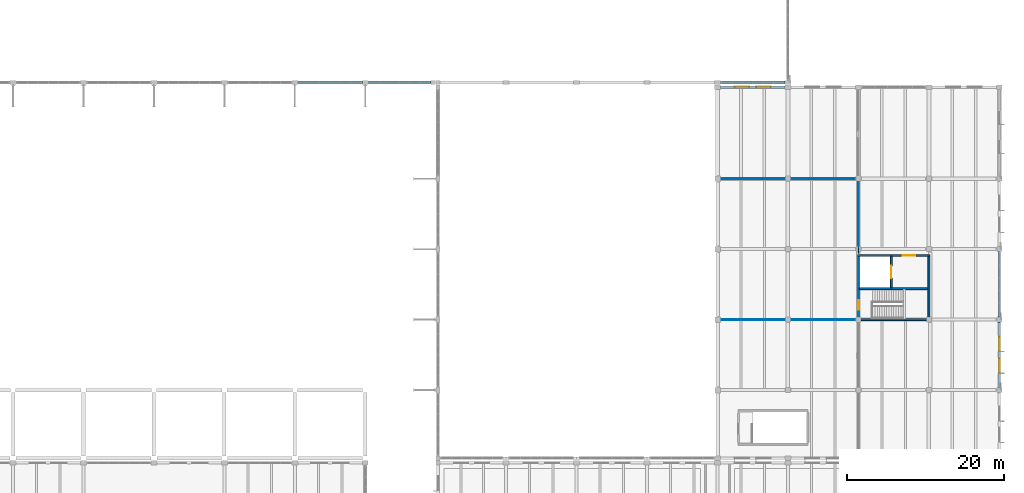
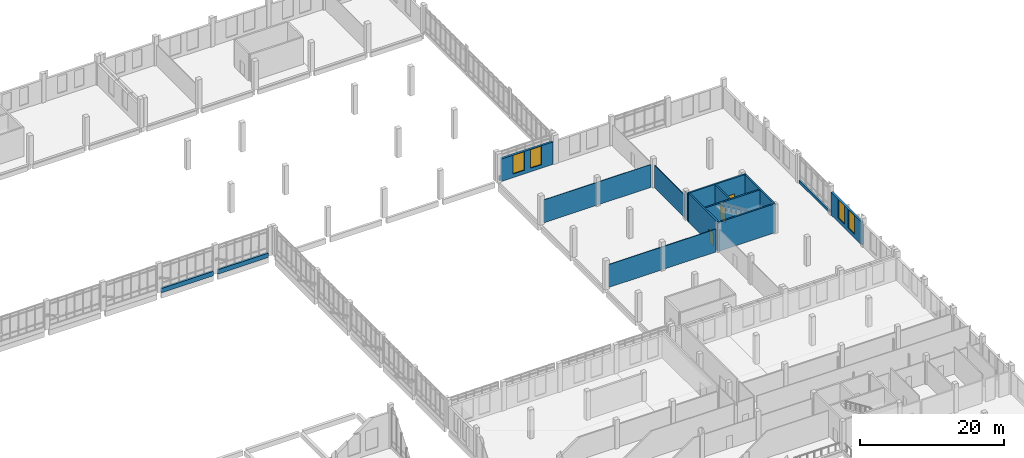
# One storey, part 89 of 110: 16 walls, 4 windows, 3 doors, 7 openings.
"""IFC4 building model written with IfcOpenShell, lengths in metres."""

from ifc_helpers import new_model, si_unit, direction, frame, frame_2d, origin, place, context, subcontext, project, spatial, rectangle, extrude, material, layer, layer_set, type_object, element, fill, save


model = new_model("IFC4")

# Units and contexts
model_context = context("Model", 3, precision=1e-05, world=origin(), true_north=direction((0.0, 1.0)))
body_context = subcontext(model_context, "Body", "Model", "MODEL_VIEW")
ifc_project = project(units=[si_unit("LENGTHUNIT", "METRE"), si_unit("AREAUNIT", "SQUARE_METRE"), si_unit("VOLUMEUNIT", "CUBIC_METRE"), si_unit("PLANEANGLEUNIT", "RADIAN"), si_unit("MASSUNIT", "GRAM", prefix="KILO")], contexts=[model_context])

# Site, building, storey
site_placement = place(None, origin())
site = spatial("IfcSite", under=ifc_project, at=site_placement, CompositionType="ELEMENT")
building_placement = place(site_placement, origin())
building = spatial("IfcBuilding", under=site, at=building_placement, Name="Zacnel Wholesale Market", CompositionType="ELEMENT")
storey_placement = place(building_placement, frame((0.0, 0.0, 6.300048828125)))
storey = spatial("IfcBuildingStorey", under=building, at=storey_placement, Name="L02", CompositionType="ELEMENT", Elevation=6.300048828125)

# Wall
ifc_material_1 = material(Name="Concrete C40/50", Category="concrete")
ifc_layer_1 = layer(ifc_material_1, 0.25)
ifc_layer_set_1 = layer_set([ifc_layer_1], Name="Concrete C40/50")
wall_type_1 = type_object("IfcWallType", Name="WL-CORE-SW250", PredefinedType="SOLIDWALL", material=ifc_layer_set_1)
wall_1_placement = place(storey_placement, frame((197.875, 66.0, 0.0), z_axis=(0.0, 0.0, 1.0), x_axis=(1.0, 0.0, 0.0)))
element("IfcWall", 1, at=wall_1_placement, inside=storey, type_object=wall_type_1, Name="Core C7 south shear wall L02", PredefinedType="SOLIDWALL", context=body_context, shape_type="SweptSolid", body=[
    extrude(rectangle(XDim=9.25, YDim=0.25, at=frame_2d((4.625, 0.0))), origin(), (0.0, 0.0, 1.0), 4.89990234375),
])

# Wall, opening, door
wall_2_placement = place(storey_placement, frame((197.875, 74.199951171875, 0.0), z_axis=(0.0, 0.0, 1.0), x_axis=(1.0, 0.0, 0.0)))
wall_2 = element("IfcWall", 2, at=wall_2_placement, inside=storey, type_object=wall_type_1, Name="Core C7 north shear wall L02", PredefinedType="SOLIDWALL", context=body_context, shape_type="SweptSolid", body=[
    extrude(rectangle(XDim=9.25, YDim=0.25, at=frame_2d((4.625, 0.0))), origin(), (0.0, 0.0, 1.0), 4.89990234375),
])
opening_1_placement = place(wall_2_placement, frame((5.77490234375, 0.0, 0.0)))
opening_1 = element("IfcOpeningElement", 3, at=opening_1_placement, cuts=wall_2, Name="Opening FD-02", PredefinedType="OPENING", context=body_context, shape_type="SweptSolid", body=[
    extrude(rectangle(XDim=1.60009765625, YDim=2.199951171875, at=frame_2d((0.800048828125, 1.10009765625))), frame((0.0, 0.135009765625, 0.0), z_axis=(0.0, -1.0, 0.0), x_axis=(1.0, 0.0, 0.0)), (0.0, 0.0, 1.0), 0.27001953125),
])
ifc_material_2 = material(Name="Galvanized steel", Category="steel")
door_type_1 = type_object("IfcDoorType", Name="DR-FIRE-LOBBY-1600", OperationType="NOTDEFINED", PredefinedType="DOOR", material=ifc_material_2)
door_1_placement = place(opening_1_placement, origin())
door_1 = element("IfcDoor", 4, at=door_1_placement, inside=storey, type_object=door_type_1, Name="Core lift lobby fire door C7 L02", OperationType="SINGLE_SWING_LEFT", OverallHeight=2.199951171875, OverallWidth=1.60009765625, PredefinedType="DOOR", context=body_context, shape_type="SweptSolid", body=[
    extrude(rectangle(XDim=1.60009765625, YDim=2.199951171875, at=frame_2d((0.800048828125, 1.10009765625))), frame((0.0, 0.02490234375, 0.0), z_axis=(0.0, -1.0, 0.0), x_axis=(1.0, 0.0, 0.0)), (0.0, 0.0, 1.0), 0.050048828125),
])
fill(opening_1, door_1)

wall_3_placement = place(storey_placement, frame((198.0, 66.125, 0.0), z_axis=(0.0, 0.0, 1.0), x_axis=(0.0, 1.0, 0.0)))
wall_3 = element("IfcWall", 5, at=wall_3_placement, inside=storey, type_object=wall_type_1, Name="Core C7 west shear wall L02", PredefinedType="SOLIDWALL", context=body_context, shape_type="SweptSolid", body=[
    extrude(rectangle(XDim=7.949951171875, YDim=0.25, at=frame_2d((3.97509765625, 0.0))), origin(), (0.0, 0.0, 1.0), 4.89990234375),
])
opening_2_placement = place(wall_3_placement, frame((1.14990234375, 0.0, 0.0)))
opening_2 = element("IfcOpeningElement", 6, at=opening_2_placement, cuts=wall_3, Name="Opening FD-01", PredefinedType="OPENING", context=body_context, shape_type="SweptSolid", body=[
    extrude(rectangle(XDim=1.199951171875, YDim=2.199951171875, at=frame_2d((0.60009765625, 1.10009765625))), frame((0.0, 0.135009765625, 0.0), z_axis=(0.0, -1.0, 0.0), x_axis=(1.0, 0.0, 0.0)), (0.0, 0.0, 1.0), 0.27001953125),
])
ifc_material_3 = material(Name="Galvanized steel", Category="steel")
door_type_2 = type_object("IfcDoorType", Name="DR-FIRE-STAIR-1200", OperationType="NOTDEFINED", PredefinedType="DOOR", material=ifc_material_3)
door_2_placement = place(opening_2_placement, origin())
door_2 = element("IfcDoor", 7, at=door_2_placement, inside=storey, type_object=door_type_2, Name="Protected stair fire door C7 L02", OperationType="SINGLE_SWING_RIGHT", OverallHeight=2.199951171875, OverallWidth=1.199951171875, PredefinedType="DOOR", context=body_context, shape_type="SweptSolid", body=[
    extrude(rectangle(XDim=1.199951171875, YDim=2.199951171875, at=frame_2d((0.60009765625, 1.10009765625))), frame((0.0, 0.02490234375, 0.0), z_axis=(0.0, -1.0, 0.0), x_axis=(1.0, 0.0, 0.0)), (0.0, 0.0, 1.0), 0.050048828125),
])
fill(opening_2, door_2)

# Walls
wall_4_placement = place(storey_placement, frame((207.0, 66.125, 0.0), z_axis=(0.0, 0.0, 1.0), x_axis=(0.0, 1.0, 0.0)))
element("IfcWall", 8, at=wall_4_placement, inside=storey, type_object=wall_type_1, Name="Core C7 east shear wall L02", PredefinedType="SOLIDWALL", context=body_context, shape_type="SweptSolid", body=[
    extrude(rectangle(XDim=7.949951171875, YDim=0.25, at=frame_2d((3.97509765625, 0.0))), origin(), (0.0, 0.0, 1.0), 4.89990234375),
])
wall_5_placement = place(storey_placement, frame((198.125, 69.949951171875, 0.0), z_axis=(0.0, 0.0, 1.0), x_axis=(1.0, 0.0, 0.0)))
element("IfcWall", 9, at=wall_5_placement, inside=storey, type_object=wall_type_1, Name="Core C7 stair-shaft shear wall L02", PredefinedType="SOLIDWALL", context=body_context, shape_type="SweptSolid", body=[
    extrude(rectangle(XDim=8.75, YDim=0.25, at=frame_2d((4.375, 0.0))), origin(), (0.0, 0.0, 1.0), 4.89990234375),
])

# Wall, opening, door
wall_6_placement = place(storey_placement, frame((202.199951171875, 70.074951171875, 0.0), z_axis=(0.0, 0.0, 1.0), x_axis=(0.0, 1.0, 0.0)))
wall_6 = element("IfcWall", 10, at=wall_6_placement, inside=storey, type_object=wall_type_1, Name="Core C7 lift shaft front wall L02", PredefinedType="SOLIDWALL", context=body_context, shape_type="SweptSolid", body=[
    extrude(rectangle(XDim=4.0, YDim=0.25, at=frame_2d((2.0, 0.0))), origin(), (0.0, 0.0, 1.0), 4.89990234375),
])
opening_3_placement = place(wall_6_placement, frame((1.199951171875, 0.0, 0.0)))
opening_3 = element("IfcOpeningElement", 11, at=opening_3_placement, cuts=wall_6, Name="Opening LD-02", PredefinedType="OPENING", context=body_context, shape_type="SweptSolid", body=[
    extrude(rectangle(XDim=1.60009765625, YDim=2.39990234375, at=frame_2d((0.800048828125, 1.199951171875))), frame((0.0, 0.135009765625, 0.0), z_axis=(0.0, -1.0, 0.0), x_axis=(1.0, 0.0, 0.0)), (0.0, 0.0, 1.0), 0.27001953125),
])
ifc_material_4 = material(Name="Galvanized steel", Category="steel")
door_type_3 = type_object("IfcDoorType", Name="DR-LIFT-GOODS-1600", OperationType="NOTDEFINED", PredefinedType="DOOR", material=ifc_material_4)
door_3_placement = place(opening_3_placement, origin())
door_3 = element("IfcDoor", 12, at=door_3_placement, inside=storey, type_object=door_type_3, Name="Lift landing door LG-04 L02", OperationType="SLIDING_TO_LEFT", OverallHeight=2.39990234375, OverallWidth=1.60009765625, PredefinedType="DOOR", context=body_context, shape_type="SweptSolid", body=[
    extrude(rectangle(XDim=1.60009765625, YDim=2.39990234375, at=frame_2d((0.800048828125, 1.199951171875))), frame((0.0, 0.02490234375, 0.0), z_axis=(0.0, -1.0, 0.0), x_axis=(1.0, 0.0, 0.0)), (0.0, 0.0, 1.0), 0.050048828125),
])
fill(opening_3, door_3)

# Walls
ifc_material_5 = material(Name="Precast concrete C40/50 (Cancun limestone aggregate)", Category="masonry")
ifc_layer_2 = layer(ifc_material_5, 0.300048828125)
ifc_layer_set_2 = layer_set([ifc_layer_2], Name="Precast concrete C40/50 (Cancun limestone aggregate)")
wall_type_2 = type_object("IfcWallType", Name="WL-EXT-LIME-300", PredefinedType="SOLIDWALL", material=ifc_layer_set_2)
wall_7_placement = place(storey_placement, frame((126.375, 96.300048828125, -0.300048828125), z_axis=(0.0, 0.0, 1.0), x_axis=(1.0, 0.0, 0.0)))
element("IfcWall", 13, at=wall_7_placement, inside=storey, type_object=wall_type_2, Name="Curtain-wall limestone plinth L02-0026", PredefinedType="SOLIDWALL", context=body_context, shape_type="SweptSolid", body=[
    extrude(rectangle(XDim=8.25, YDim=0.300048828125, at=frame_2d((4.125, 0.0))), origin(), (0.0, 0.0, 1.0), 0.75),
])
wall_8_placement = place(storey_placement, frame((135.375, 96.300048828125, -0.300048828125), z_axis=(0.0, 0.0, 1.0), x_axis=(1.0, 0.0, 0.0)))
element("IfcWall", 14, at=wall_8_placement, inside=storey, type_object=wall_type_2, Name="Curtain-wall limestone plinth L02-0027", PredefinedType="SOLIDWALL", context=body_context, shape_type="SweptSolid", body=[
    extrude(rectangle(XDim=8.050048828125, YDim=0.300048828125, at=frame_2d((4.02490234375, 0.0))), origin(), (0.0, 0.0, 1.0), 0.75),
])
wall_9_placement = place(storey_placement, frame((180.375, 96.300048828125, -0.300048828125), z_axis=(0.0, 0.0, 1.0), x_axis=(1.0, 0.0, 0.0)))
element("IfcWall", 15, at=wall_9_placement, inside=storey, type_object=wall_type_2, Name="Curtain-wall limestone plinth L02-0028", PredefinedType="SOLIDWALL", context=body_context, shape_type="SweptSolid", body=[
    extrude(rectangle(XDim=8.25, YDim=0.300048828125, at=frame_2d((4.125, 0.0))), origin(), (0.0, 0.0, 1.0), 0.75),
])
wall_10_placement = place(storey_placement, frame((216.0, 66.324951171875, 0.0), z_axis=(0.0, 0.0, 1.0), x_axis=(0.0, 1.0, 0.0)))
element("IfcWall", 16, at=wall_10_placement, inside=storey, type_object=wall_type_2, Name="Curtain-wall limestone plinth L02-0047", PredefinedType="SOLIDWALL", context=body_context, shape_type="SweptSolid", body=[
    extrude(rectangle(XDim=8.35009765625, YDim=0.300048828125, at=frame_2d((4.175048828125, 0.0))), origin(), (0.0, 0.0, 1.0), 0.449951171875),
])

# Wall, openings, windows
ifc_material_6 = material(Name="Precast concrete C40/50 (Cancun limestone aggregate)", Category="masonry")
ifc_layer_3 = layer(ifc_material_6, 0.340087890625)
ifc_layer_set_3 = layer_set([ifc_layer_3], Name="Precast concrete C40/50 (Cancun limestone aggregate)")
wall_type_3 = type_object("IfcWallType", Name="WL-EXT-LIME-340", PredefinedType="SOLIDWALL", material=ifc_layer_set_3)
wall_11_placement = place(storey_placement, frame((180.375, 95.699951171875, 0.0), z_axis=(0.0, 0.0, 1.0), x_axis=(1.0, 0.0, 0.0)))
wall_11 = element("IfcWall", 17, at=wall_11_placement, inside=storey, type_object=wall_type_3, Name="Exterior wall L02-0302", PredefinedType="SOLIDWALL", context=body_context, shape_type="SweptSolid", body=[
    extrude(rectangle(XDim=8.25, YDim=0.340087890625, at=frame_2d((4.125, 0.0))), origin(), (0.0, 0.0, 1.0), 3.800048828125),
])
opening_4_placement = place(wall_11_placement, frame((1.85009765625, 0.0, 0.610107421875)))
opening_4 = element("IfcOpeningElement", 18, at=opening_4_placement, cuts=wall_11, Name="Opening W-03", PredefinedType="OPENING", context=body_context, shape_type="SweptSolid", body=[
    extrude(rectangle(XDim=1.800048828125, YDim=3.14990234375, at=frame_2d((0.89990234375, 1.574951171875))), frame((0.0, 0.179931640625, 0.0), z_axis=(0.0, -1.0, 0.0), x_axis=(1.0, 0.0, 0.0)), (0.0, 0.0, 1.0), 0.360107421875),
])
opening_5_placement = place(wall_11_placement, frame((4.60009765625, 0.0, 0.610107421875)))
opening_5 = element("IfcOpeningElement", 19, at=opening_5_placement, cuts=wall_11, Name="Opening W-03", PredefinedType="OPENING", context=body_context, shape_type="SweptSolid", body=[
    extrude(rectangle(XDim=1.800048828125, YDim=3.14990234375, at=frame_2d((0.89990234375, 1.574951171875))), frame((0.0, 0.179931640625, 0.0), z_axis=(0.0, -1.0, 0.0), x_axis=(1.0, 0.0, 0.0)), (0.0, 0.0, 1.0), 0.360107421875),
])
ifc_material_7 = material(Name="Laminated hurricane-impact low-E insulated glass", Category="glass")
window_type = type_object("IfcWindowType", Name="WIN-DEC-1800X3150", PartitioningType="DOUBLE_PANEL_VERTICAL", PredefinedType="WINDOW", material=ifc_material_7)
window_1_placement = place(opening_4_placement, origin())
window_1 = element("IfcWindow", 20, at=window_1_placement, inside=storey, type_object=window_type, Name="Window L02-0339", OverallHeight=3.14990234375, OverallWidth=1.800048828125, PartitioningType="DOUBLE_PANEL_VERTICAL", PredefinedType="WINDOW", context=body_context, shape_type="SweptSolid", body=[
    extrude(rectangle(XDim=1.800048828125, YDim=3.14990234375, at=frame_2d((0.89990234375, 1.574951171875))), frame((0.0, 0.030029296875, 0.0), z_axis=(0.0, -1.0, 0.0), x_axis=(1.0, 0.0, 0.0)), (0.0, 0.0, 1.0), 0.06005859375),
])
fill(opening_4, window_1)
window_2_placement = place(opening_5_placement, origin())
window_2 = element("IfcWindow", 21, at=window_2_placement, inside=storey, type_object=window_type, Name="Window L02-0340", OverallHeight=3.14990234375, OverallWidth=1.800048828125, PartitioningType="DOUBLE_PANEL_VERTICAL", PredefinedType="WINDOW", context=body_context, shape_type="SweptSolid", body=[
    extrude(rectangle(XDim=1.800048828125, YDim=3.14990234375, at=frame_2d((0.89990234375, 1.574951171875))), frame((0.0, 0.030029296875, 0.0), z_axis=(0.0, -1.0, 0.0), x_axis=(1.0, 0.0, 0.0)), (0.0, 0.0, 1.0), 0.06005859375),
])
fill(opening_5, window_2)

wall_12_placement = place(storey_placement, frame((216.0, 57.324951171875, 0.0), z_axis=(0.0, 0.0, 1.0), x_axis=(0.0, 1.0, 0.0)))
wall_12 = element("IfcWall", 22, at=wall_12_placement, inside=storey, type_object=wall_type_3, Name="Exterior wall L02-0306", PredefinedType="SOLIDWALL", context=body_context, shape_type="SweptSolid", body=[
    extrude(rectangle(XDim=8.35009765625, YDim=0.340087890625, at=frame_2d((4.175048828125, 0.0))), origin(), (0.0, 0.0, 1.0), 3.869873046875),
])
opening_6_placement = place(wall_12_placement, frame((1.883056640625, 0.0, 0.679931640625)))
opening_6 = element("IfcOpeningElement", 23, at=opening_6_placement, cuts=wall_12, Name="Opening W-03", PredefinedType="OPENING", context=body_context, shape_type="SweptSolid", body=[
    extrude(rectangle(XDim=1.800048828125, YDim=3.14990234375, at=frame_2d((0.89990234375, 1.574951171875))), frame((0.0, 0.179931640625, 0.0), z_axis=(0.0, -1.0, 0.0), x_axis=(1.0, 0.0, 0.0)), (0.0, 0.0, 1.0), 0.360107421875),
])
opening_7_placement = place(wall_12_placement, frame((4.6669921875, 0.0, 0.679931640625)))
opening_7 = element("IfcOpeningElement", 24, at=opening_7_placement, cuts=wall_12, Name="Opening W-03", PredefinedType="OPENING", context=body_context, shape_type="SweptSolid", body=[
    extrude(rectangle(XDim=1.800048828125, YDim=3.14990234375, at=frame_2d((0.89990234375, 1.574951171875))), frame((0.0, 0.179931640625, 0.0), z_axis=(0.0, -1.0, 0.0), x_axis=(1.0, 0.0, 0.0)), (0.0, 0.0, 1.0), 0.360107421875),
])
window_3_placement = place(opening_6_placement, origin())
window_3 = element("IfcWindow", 25, at=window_3_placement, inside=storey, type_object=window_type, Name="Window L02-0347", OverallHeight=3.14990234375, OverallWidth=1.800048828125, PartitioningType="DOUBLE_PANEL_VERTICAL", PredefinedType="WINDOW", context=body_context, shape_type="SweptSolid", body=[
    extrude(rectangle(XDim=1.800048828125, YDim=3.14990234375, at=frame_2d((0.89990234375, 1.574951171875))), frame((0.0, 0.030029296875, 0.0), z_axis=(0.0, -1.0, 0.0), x_axis=(1.0, 0.0, 0.0)), (0.0, 0.0, 1.0), 0.06005859375),
])
fill(opening_6, window_3)
window_4_placement = place(opening_7_placement, origin())
window_4 = element("IfcWindow", 26, at=window_4_placement, inside=storey, type_object=window_type, Name="Window L02-0348", OverallHeight=3.14990234375, OverallWidth=1.800048828125, PartitioningType="DOUBLE_PANEL_VERTICAL", PredefinedType="WINDOW", context=body_context, shape_type="SweptSolid", body=[
    extrude(rectangle(XDim=1.800048828125, YDim=3.14990234375, at=frame_2d((0.89990234375, 1.574951171875))), frame((0.0, 0.030029296875, 0.0), z_axis=(0.0, -1.0, 0.0), x_axis=(1.0, 0.0, 0.0)), (0.0, 0.0, 1.0), 0.06005859375),
])
fill(opening_7, window_4)

# Walls
ifc_material_8 = material(Name="Acoustic operable partition system")
ifc_layer_4 = layer(ifc_material_8, 0.1201171875)
ifc_layer_set_4 = layer_set([ifc_layer_4], Name="Acoustic operable partition system")
wall_type_4 = type_object("IfcWallType", Name="WL-MOV-AC120", PredefinedType="MOVABLE", material=ifc_layer_set_4)
wall_13_placement = place(storey_placement, frame((180.449951171875, 66.0, 0.0), z_axis=(0.0, 0.0, 1.0), x_axis=(1.0, 0.0, 0.0)))
element("IfcWall", 27, at=wall_13_placement, inside=storey, type_object=wall_type_4, Name="Acoustic operable stall divider 07", PredefinedType="MOVABLE", context=body_context, shape_type="SweptSolid", body=[
    extrude(rectangle(XDim=17.10009765625, YDim=0.1201171875, at=frame_2d((8.550048828125, 0.0))), origin(), (0.0, 0.0, 1.0), 3.869873046875),
])
ifc_material_9 = material(Name="Acoustic operable partition system")
ifc_layer_5 = layer(ifc_material_9, 0.094970703125)
ifc_layer_set_5 = layer_set([ifc_layer_5], Name="Acoustic operable partition system")
wall_type_5 = type_object("IfcWallType", Name="WL-MOV-AC95", PredefinedType="MOVABLE", material=ifc_layer_set_5)
wall_14_placement = place(storey_placement, frame((180.449951171875, 84.0, 0.0), z_axis=(0.0, 0.0, 1.0), x_axis=(1.0, 0.0, 0.0)))
element("IfcWall", 28, at=wall_14_placement, inside=storey, type_object=wall_type_5, Name="Acoustic operable stall divider 08", PredefinedType="MOVABLE", context=body_context, shape_type="SweptSolid", body=[
    extrude(rectangle(XDim=17.10009765625, YDim=0.094970703125, at=frame_2d((8.550048828125, 0.0))), origin(), (0.0, 0.0, 1.0), 3.869873046875),
])
ifc_material_10 = material(Name="Moisture-resistant gypsum board partition")
ifc_layer_6 = layer(ifc_material_10, 0.10009765625)
ifc_layer_set_6 = layer_set([ifc_layer_6], Name="Moisture-resistant gypsum board partition")
wall_type_6 = type_object("IfcWallType", Name="WL-PART-GYP100", PredefinedType="PARTITIONING", material=ifc_layer_set_6)
wall_15_placement = place(storey_placement, frame((198.0, 74.5, 0.0), z_axis=(0.0, 0.0, 1.0), x_axis=(0.0, 1.0, 0.0)))
element("IfcWall", 29, at=wall_15_placement, inside=storey, type_object=wall_type_6, Name="Interior partition L02-0104", PredefinedType="PARTITIONING", context=body_context, shape_type="SweptSolid", body=[
    extrude(rectangle(XDim=0.824951171875, YDim=0.10009765625, at=frame_2d((0.41259765625, 0.0))), origin(), (0.0, 0.0, 1.0), 4.56005859375),
])
wall_16_placement = place(storey_placement, frame((198.0, 75.324951171875, 0.0), z_axis=(0.0, 0.0, 1.0), x_axis=(0.0, 1.0, 0.0)))
element("IfcWall", 30, at=wall_16_placement, inside=storey, type_object=wall_type_6, Name="Interior partition L02-0104 part 2", PredefinedType="PARTITIONING", context=body_context, shape_type="SweptSolid", body=[
    extrude(rectangle(XDim=8.35009765625, YDim=0.10009765625, at=frame_2d((4.175048828125, 0.0))), origin(), (0.0, 0.0, 1.0), 3.820068359375),
])

save(model, "model.ifc")
